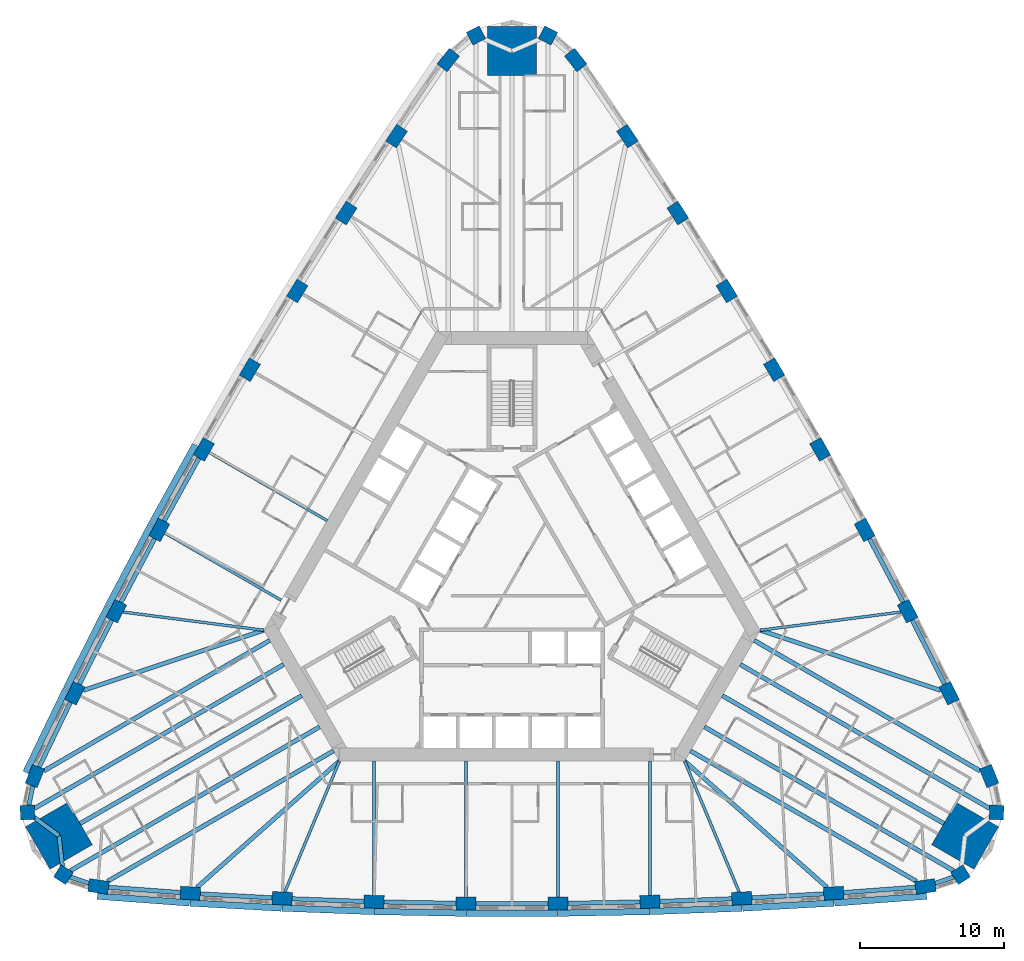
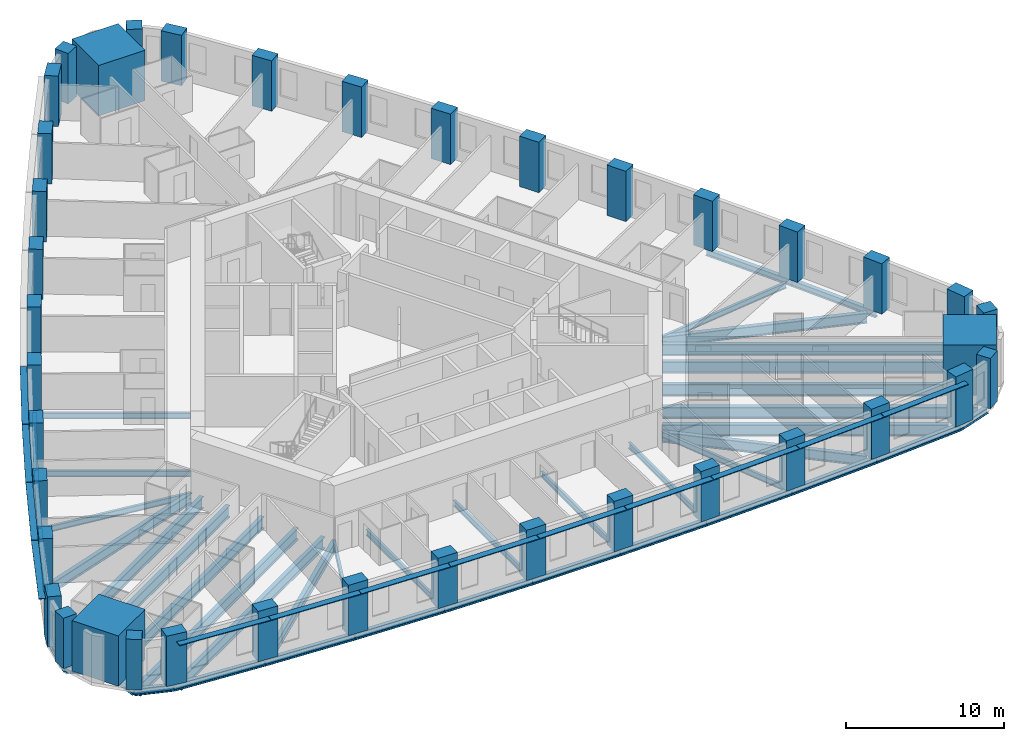
# One storey, part 1 of 13: 44 beams, 39 columns, 13 members.
"""IFC4 building model written with IfcOpenShell, lengths in metres."""

from ifc_helpers import new_model, si_unit, direction, frame, origin, origin_2d, place, context, subcontext, project, spatial, rectangle, i_section, extrude, material, material_profile, profile_set, type_object, element, save


model = new_model("IFC4")

# Units and contexts
model_context = context("Model", 3, precision=1e-05, world=origin(), true_north=direction((0.0, 1.0)))
body_context = subcontext(model_context, "Body", "Model", "MODEL_VIEW")
ifc_project = project(units=[si_unit("LENGTHUNIT", "METRE"), si_unit("AREAUNIT", "SQUARE_METRE"), si_unit("VOLUMEUNIT", "CUBIC_METRE"), si_unit("PLANEANGLEUNIT", "RADIAN"), si_unit("MASSUNIT", "GRAM", prefix="KILO")], contexts=[model_context])

# Site, building, storey
site_placement = place(None, origin())
site = spatial("IfcSite", under=ifc_project, at=site_placement, CompositionType="ELEMENT")
building_placement = place(site_placement, origin())
building = spatial("IfcBuilding", under=site, at=building_placement, Name="Mestral Congress Tower", CompositionType="ELEMENT")
storey_placement = place(building_placement, frame((0.0, 0.0, 27.60009765625)))
storey = spatial("IfcBuildingStorey", under=building, at=storey_placement, Name="L05", CompositionType="ELEMENT", Elevation=27.60009765625)

# Columns
ifc_material_1 = material(Name="Concrete C70/85", Category="concrete")
ifc_material_profile_1 = material_profile(ifc_material_1, rectangle(XDim=1.0, YDim=1.0, at=origin_2d()), Name="RC 1000x1000")
ifc_profile_set_1 = profile_set([ifc_material_profile_1], Name="Concrete C70/85")
column_type_1 = type_object("IfcColumnType", Name="Column RC 1000x1000 C70/85", PredefinedType="COLUMN", material=ifc_profile_set_1)
for number, where, z_axis, x_axis, name in (
    (1, (31.210205078125, -20.90966796875, 0.0), (0.0, 0.0, 1.0), (0.844485001826, 0.535579202071, 0.0), "COL-L05-C1-SE1"),
    (2, (33.71337890625, -16.573974609375, 0.0), (0.0, 0.0, 1.0), (0.041582693819, 0.999135065732, 0.0), "COL-L05-C1-SE3"),
    (3, (2.503173828125, 37.483642578125, 0.0), (0.0, 0.0, 1.0), (-0.886067695645, 0.463555863661, 0.0), "COL-L05-C1-N1"),
    (4, (-2.503173828125, 37.483642578125, 0.0), (0.0, 0.0, 1.0), (-0.886067695645, -0.463555863661, 0.0), "COL-L05-C1-N3"),
    (5, (-33.71337890625, -16.573974609375, 0.0), (0.0, 0.0, 1.0), (0.041582693819, -0.999135065732, 0.0), "COL-L05-C1-SW1"),
    (6, (-31.210205078125, -20.90966796875, 0.0), (0.0, 0.0, 1.0), (0.844485001826, -0.535579202071, 0.0), "COL-L05-C1-SW3"),
):
    element("IfcColumn", number, at=place(storey_placement, frame(where, z_axis=z_axis, x_axis=x_axis)), inside=storey, type_object=column_type_1, Name=name, PredefinedType="COLUMN", context=body_context, shape_type="SweptSolid", body=[
        extrude(rectangle(XDim=1.0, YDim=1.0, at=origin_2d()), origin(), (0.0, 0.0, 1.0), 3.89990234375),
    ])
ifc_material_profile_2 = material_profile(ifc_material_1, rectangle(XDim=1.39990234375, YDim=0.89990234375, at=origin_2d()), Name="RC 1400x900")
ifc_profile_set_2 = profile_set([ifc_material_profile_2], Name="Concrete C70/85")
column_type_2 = type_object("IfcColumnType", Name="Column RC 1400x900 C70/85", PredefinedType="COLUMN", material=ifc_profile_set_2)
for number, where, z_axis, x_axis, name in (
    (7, (-28.766845703125, -21.730712890625, 0.0), (0.0, 0.0, 1.0), (0.989423502484, -0.145055619443, 0.0), "COL-L05-C1-S00"),
    (8, (-22.384521484375, -22.20361328125, 0.0), (0.0, 0.0, 1.0), (0.997907501024, -0.064657709518, 0.0), "COL-L05-C1-S01"),
    (9, (-15.994384765625, -22.558349609375, 0.0), (0.0, 0.0, 1.0), (0.998932216029, -0.04619986774, 0.0), "COL-L05-C1-S02"),
    (10, (-9.598876953125, -22.794921875, 0.0), (0.0, 0.0, 1.0), (0.999615553977, -0.027726237529, 0.0), "COL-L05-C1-S03"),
    (11, (-3.199951171875, -22.9130859375, 0.0), (0.0, 0.0, 1.0), (0.999957281342, -0.009243132098, 0.0), "COL-L05-C1-S04"),
    (12, (3.199951171875, -22.9130859375, 0.0), (0.0, 0.0, 1.0), (0.999957281342, 0.009243132098, 0.0), "COL-L05-C1-S05"),
    (13, (9.598876953125, -22.794921875, 0.0), (0.0, 0.0, 1.0), (0.999615553977, 0.027726237529, 0.0), "COL-L05-C1-S06"),
    (14, (15.994384765625, -22.558349609375, 0.0), (0.0, 0.0, 1.0), (0.998932216029, 0.04619986774, 0.0), "COL-L05-C1-S07"),
    (15, (22.384521484375, -22.20361328125, 0.0), (0.0, 0.0, 1.0), (0.997907501024, 0.064657709518, 0.0), "COL-L05-C1-S08"),
    (16, (28.766845703125, -21.730712890625, 0.0), (0.0, 0.0, 1.0), (0.989423502484, 0.145055619443, 0.0), "COL-L05-C1-S09"),
    (17, (33.202880859375, -14.04736328125, 0.0), (0.0, 0.0, 1.0), (-0.369089899843, 0.929393697974, 0.0), "COL-L05-C1-E00"),
    (18, (30.421142578125, -8.28369140625, 0.0), (0.0, 0.0, 1.0), (-0.442958531519, 0.896542101273, 0.0), "COL-L05-C1-E01"),
    (19, (27.533203125, -2.572265625, 0.0), (0.0, 0.0, 1.0), (-0.4594558489, 0.88820060961, 0.0), "COL-L05-C1-E02"),
    (20, (24.540283203125, 3.084716796875, 0.0), (0.0, 0.0, 1.0), (-0.475796150937, 0.879555582526, 0.0), "COL-L05-C1-E03"),
    (21, (21.443359375, 8.685302734375, 0.0), (0.0, 0.0, 1.0), (-0.491973853463, 0.870609974391, 0.0), "COL-L05-C1-E04"),
    (22, (18.243408203125, 14.227783203125, 0.0), (0.0, 0.0, 1.0), (-0.507983427879, 0.861366842292, 0.0), "COL-L05-C1-E05"),
    (23, (14.941650390625, 19.710205078125, 0.0), (0.0, 0.0, 1.0), (-0.52381940304, 0.851829344998, 0.0), "COL-L05-C1-E06"),
    (24, (11.5390625, 25.130615234375, 0.0), (0.0, 0.0, 1.0), (-0.539476367129, 0.84200074187, 0.0), "COL-L05-C1-E07"),
    (25, (8.03662109375, 30.4873046875, 0.0), (0.0, 0.0, 1.0), (-0.554948969505, 0.831884391755, 0.0), "COL-L05-C1-E08"),
    (26, (4.43603515625, 35.7783203125, 0.0), (0.0, 0.0, 1.0), (-0.620333602641, 0.784338078531, 0.0), "COL-L05-C1-E09"),
    (27, (-4.43603515625, 35.7783203125, 0.0), (0.0, 0.0, 1.0), (-0.620333602641, -0.784338078531, 0.0), "COL-L05-C1-W00"),
    (28, (-8.03662109375, 30.4873046875, 0.0), (0.0, 0.0, 1.0), (-0.554948969505, -0.831884391755, 0.0), "COL-L05-C1-W01"),
    (29, (-11.5390625, 25.130615234375, 0.0), (0.0, 0.0, 1.0), (-0.539476367129, -0.84200074187, 0.0), "COL-L05-C1-W02"),
    (30, (-14.941650390625, 19.710205078125, 0.0), (0.0, 0.0, 1.0), (-0.52381940304, -0.851829344998, 0.0), "COL-L05-C1-W03"),
    (31, (-18.243408203125, 14.227783203125, 0.0), (0.0, 0.0, 1.0), (-0.507983427879, -0.861366842292, 0.0), "COL-L05-C1-W04"),
    (32, (-21.443359375, 8.685302734375, 0.0), (0.0, 0.0, 1.0), (-0.491973853463, -0.870609974391, 0.0), "COL-L05-C1-W05"),
    (33, (-24.540283203125, 3.084716796875, 0.0), (0.0, 0.0, 1.0), (-0.475796150937, -0.879555582526, 0.0), "COL-L05-C1-W06"),
    (34, (-27.533203125, -2.572265625, 0.0), (0.0, 0.0, 1.0), (-0.4594558489, -0.88820060961, 0.0), "COL-L05-C1-W07"),
    (35, (-30.421142578125, -8.28369140625, 0.0), (0.0, 0.0, 1.0), (-0.442958531519, -0.896542101273, 0.0), "COL-L05-C1-W08"),
    (36, (-33.202880859375, -14.04736328125, 0.0), (0.0, 0.0, 1.0), (-0.369089899843, -0.929393697974, 0.0), "COL-L05-C1-W09"),
):
    element("IfcColumn", number, at=place(storey_placement, frame(where, z_axis=z_axis, x_axis=x_axis)), inside=storey, type_object=column_type_2, Name=name, PredefinedType="COLUMN", context=body_context, shape_type="SweptSolid", body=[
        extrude(rectangle(XDim=1.39990234375, YDim=0.89990234375, at=origin_2d()), origin(), (0.0, 0.0, 1.0), 3.89990234375),
    ])
ifc_material_2 = material(Name="Concrete C80/95", Category="concrete")
ifc_material_profile_3 = material_profile(ifc_material_2, rectangle(XDim=3.39990234375, YDim=3.39990234375, at=origin_2d()), Name="RC 3400x3400")
ifc_profile_set_3 = profile_set([ifc_material_profile_3], Name="Concrete C80/95")
column_type_3 = type_object("IfcColumnType", Name="Mega column RC 3400x3400 C80/95", PredefinedType="COLUMN", material=ifc_profile_set_3)
for number, where, z_axis, x_axis, name in (
    (37, (31.5224609375, -18.199462890625, 0.0), (0.0, 0.0, 1.0), (0.866025403784, -0.5, 0.0), "COL-L05-PY1-SE"),
    (38, (0.0, 36.39892578125, 0.0), (0.0, 0.0, 1.0), (0.0, 1.0, 0.0), "COL-L05-PY1-N"),
    (39, (-31.5224609375, -18.199462890625, 0.0), (0.0, 0.0, 1.0), (-0.866025403784, -0.5, 0.0), "COL-L05-PY1-SW"),
):
    element("IfcColumn", number, at=place(storey_placement, frame(where, z_axis=z_axis, x_axis=x_axis)), inside=storey, type_object=column_type_3, Name=name, PredefinedType="COLUMN", context=body_context, shape_type="SweptSolid", body=[
        extrude(rectangle(XDim=3.39990234375, YDim=3.39990234375, at=origin_2d()), origin(), (0.0, 0.0, 1.0), 3.89990234375),
    ])

# Members
ifc_material_3 = material(Name="Glazed ceramic", Category="masonry")
ifc_material_profile_4 = material_profile(ifc_material_3, rectangle(XDim=0.449951171875, YDim=0.06005859375, at=origin_2d()), Name="Ceramic blade 450 x 60")
ifc_profile_set_4 = profile_set([ifc_material_profile_4], Name="Glazed ceramic")
member_type = type_object("IfcMemberType", Name="Facade sunshade blade 450 x 60", PredefinedType="USERDEFINED", material=ifc_profile_set_4)
member_1_placement = place(storey_placement, frame((-28.853271484375, -22.4013671875, 3.27978515625), z_axis=(0.997269829073, -0.073843672858, 0.0), x_axis=(0.073843672858, 0.997269829073, 0.0)))
element("IfcMember", 40, at=member_1_placement, inside=storey, type_object=member_type, Name="Sunshade F0-00", ObjectType="SUNSHADE", PredefinedType="USERDEFINED", context=body_context, shape_type="SweptSolid", body=[
    extrude(rectangle(XDim=0.449951171875, YDim=0.06005859375, at=origin_2d()), origin(), (0.0, 0.0, 1.0), 6.420654296875),
])
member_2_placement = place(storey_placement, frame((-22.406005859375, -22.87841796875, 3.27978515625), z_axis=(0.998462240013, -0.055436046654, 0.0), x_axis=(0.055436046654, 0.998462240013, 0.0)))
element("IfcMember", 41, at=member_2_placement, inside=storey, type_object=member_type, Name="Sunshade F0-01", ObjectType="SUNSHADE", PredefinedType="USERDEFINED", context=body_context, shape_type="SweptSolid", body=[
    extrude(rectangle(XDim=0.449951171875, YDim=0.06005859375, at=origin_2d()), origin(), (0.0, 0.0, 1.0), 6.3681640625),
])
member_3_placement = place(storey_placement, frame((-16.00341796875, -23.2333984375, 3.27978515625), z_axis=(0.99931546381, -0.036994645436, 0.0), x_axis=(0.036994645436, 0.99931546381, 0.0)))
element("IfcMember", 42, at=member_3_placement, inside=storey, type_object=member_type, Name="Sunshade F0-02", ObjectType="SUNSHADE", PredefinedType="USERDEFINED", context=body_context, shape_type="SweptSolid", body=[
    extrude(rectangle(XDim=0.449951171875, YDim=0.06005859375, at=origin_2d()), origin(), (0.0, 0.0, 1.0), 6.368408203125),
])
for number, where, z_axis, x_axis, name in (
    (43, (-9.595458984375, -23.47021484375, 3.27978515625), (0.99982925906, -0.018478439527, 0.0), (0.018478439527, 0.99982925906, 0.0), "Sunshade F0-03"),
    (44, (-3.18408203125, -23.588134765625, 3.27978515625), (1.0, 0.0, 0.0), (0.0, 1.0, 0.0), "Sunshade F0-04"),
    (45, (3.228271484375, -23.587890625, 3.27978515625), (0.99982925906, 0.018478439527, 0.0), (-0.018478439527, 0.99982925906, 0.0), "Sunshade F0-05"),
):
    element("IfcMember", number, at=place(storey_placement, frame(where, z_axis=z_axis, x_axis=x_axis)), inside=storey, type_object=member_type, Name=name, ObjectType="SUNSHADE", PredefinedType="USERDEFINED", context=body_context, shape_type="SweptSolid", body=[
        extrude(rectangle(XDim=0.449951171875, YDim=0.06005859375, at=origin_2d()), origin(), (0.0, 0.0, 1.0), 6.3681640625),
    ])
member_4_placement = place(storey_placement, frame((9.639404296875, -23.468994140625, 3.27978515625), z_axis=(0.99931546381, 0.036994645436, 0.0), x_axis=(-0.036994645436, 0.99931546381, 0.0)))
element("IfcMember", 46, at=member_4_placement, inside=storey, type_object=member_type, Name="Sunshade F0-06", ObjectType="SUNSHADE", PredefinedType="USERDEFINED", context=body_context, shape_type="SweptSolid", body=[
    extrude(rectangle(XDim=0.449951171875, YDim=0.06005859375, at=origin_2d()), origin(), (0.0, 0.0, 1.0), 6.368408203125),
])
member_5_placement = place(storey_placement, frame((16.047607421875, -23.2314453125, 3.27978515625), z_axis=(0.998462240013, 0.055436046654, 0.0), x_axis=(-0.055436046654, 0.998462240013, 0.0)))
element("IfcMember", 47, at=member_5_placement, inside=storey, type_object=member_type, Name="Sunshade F0-07", ObjectType="SUNSHADE", PredefinedType="USERDEFINED", context=body_context, shape_type="SweptSolid", body=[
    extrude(rectangle(XDim=0.449951171875, YDim=0.06005859375, at=origin_2d()), origin(), (0.0, 0.0, 1.0), 6.3681640625),
])
member_6_placement = place(storey_placement, frame((22.4501953125, -22.87548828125, 3.27978515625), z_axis=(0.997269829073, 0.073843672858, 0.0), x_axis=(-0.073843672858, 0.997269829073, 0.0)))
element("IfcMember", 48, at=member_6_placement, inside=storey, type_object=member_type, Name="Sunshade F0-08", ObjectType="SUNSHADE", PredefinedType="USERDEFINED", context=body_context, shape_type="SweptSolid", body=[
    extrude(rectangle(XDim=0.449951171875, YDim=0.06005859375, at=origin_2d()), origin(), (0.0, 0.0, 1.0), 6.420654296875),
])
for number, where, z_axis, x_axis, name in (
    (49, (-22.041748046875, 8.998291015625, 3.27978515625), (-0.483893994258, -0.875126620736, 0.0), (0.875126620736, -0.483893994258, 0.0), "Sunshade F2-05"),
    (50, (-25.144287109375, 3.38623046875, 3.27978515625), (-0.467674573128, -0.883900726128, 0.0), (0.883900726128, -0.467674573128, 0.0), "Sunshade F2-06"),
    (51, (-28.142822265625, -2.28173828125, 3.27978515625), (-0.451226804026, -0.892409307061, 0.0), (0.892409307061, -0.451226804026, 0.0), "Sunshade F2-07"),
):
    element("IfcMember", number, at=place(storey_placement, frame(where, z_axis=z_axis, x_axis=x_axis)), inside=storey, type_object=member_type, Name=name, ObjectType="SUNSHADE", PredefinedType="USERDEFINED", context=body_context, shape_type="SweptSolid", body=[
        extrude(rectangle(XDim=0.449951171875, YDim=0.06005859375, at=origin_2d()), origin(), (0.0, 0.0, 1.0), 6.3681640625),
    ])
member_7_placement = place(storey_placement, frame((-31.035888671875, -8.00439453125, 3.27978515625), z_axis=(-0.434637414368, -0.900605528537, 0.0), x_axis=(0.900605528537, -0.434637414368, 0.0)))
element("IfcMember", 52, at=member_7_placement, inside=storey, type_object=member_type, Name="Sunshade F2-08", ObjectType="SUNSHADE", PredefinedType="USERDEFINED", context=body_context, shape_type="SweptSolid", body=[
    extrude(rectangle(XDim=0.449951171875, YDim=0.06005859375, at=origin_2d()), origin(), (0.0, 0.0, 1.0), 6.4208984375),
])

# Beams
ifc_material_4 = material(Name="Steel S355", Category="steel")
ifc_material_profile_5 = material_profile(ifc_material_4, i_section(OverallWidth=0.300048828125, OverallDepth=0.800048828125, WebThickness=0.017578125, FlangeThickness=0.032958984375, FilletRadius=0.030029296875, at=origin_2d()), Name="HEB 800")
ifc_profile_set_5 = profile_set([ifc_material_profile_5], Name="Steel S355")
beam_type_1 = type_object("IfcBeamType", Name="Floor beam HEB 800 S355", PredefinedType="BEAM", material=ifc_profile_set_5)
for number, where, z_axis, x_axis, name in (
    (53, (-21.91064453125, -21.783447265625, -0.650146484375), (0.748091770025, 0.663595286015, 0.0), (-0.663595286015, 0.748091770025, 0.0), "BM-L05-RB1-S01"),
    (54, (21.91064453125, -21.783447265625, -0.650146484375), (-0.748091770025, 0.663595286015, 0.0), (-0.663595286015, -0.748091770025, 0.0), "BM-L05-RB1-S08"),
    (55, (29.8203125, -8.08349609375, -0.650146484375), (-0.948734931285, 0.316072824141, 0.0), (-0.316072824141, -0.948734931285, 0.0), "BM-L05-RB1-E01"),
    (56, (-29.8203125, -8.08349609375, -0.650146484375), (0.948734931285, 0.316072824141, 0.0), (-0.316072824141, 0.948734931285, 0.0), "BM-L05-RB1-W08"),
):
    element("IfcBeam", number, at=place(storey_placement, frame(where, z_axis=z_axis, x_axis=x_axis)), inside=storey, type_object=beam_type_1, Name=name, PredefinedType="BEAM", context=body_context, shape_type="SweptSolid", body=[
        extrude(i_section(OverallWidth=0.300048828125, OverallDepth=0.800048828125, WebThickness=0.017578125, FlangeThickness=0.032958984375, FilletRadius=0.030029296875, at=origin_2d()), origin(), (0.0, 0.0, 1.0), 13.236083984375),
    ])
ifc_material_profile_6 = material_profile(ifc_material_4, i_section(OverallWidth=0.300048828125, OverallDepth=0.89990234375, WebThickness=0.0185546875, FlangeThickness=0.034912109375, FilletRadius=0.030029296875, at=origin_2d()), Name="HEB 900")
ifc_profile_set_6 = profile_set([ifc_material_profile_6], Name="Steel S355")
beam_type_2 = type_object("IfcBeamType", Name="Floor beam HEB 900 S355", PredefinedType="BEAM", material=ifc_profile_set_6)
for number, where, z_axis, x_axis, name in (
    (57, (-28.138671875, -21.3681640625, -0.7001953125), (0.866027243369, 0.499996813733, 0.0), (-0.499996813733, 0.866027243369, 0.0), "BM-L05-RB1-S00"),
    (58, (28.138671875, -21.3681640625, -0.7001953125), (-0.866027243369, 0.499996813733, 0.0), (-0.499996813733, -0.866027243369, 0.0), "BM-L05-RB1-S09"),
):
    element("IfcBeam", number, at=place(storey_placement, frame(where, z_axis=z_axis, x_axis=x_axis)), inside=storey, type_object=beam_type_2, Name=name, PredefinedType="BEAM", context=body_context, shape_type="SweptSolid", body=[
        extrude(i_section(OverallWidth=0.300048828125, OverallDepth=0.89990234375, WebThickness=0.0185546875, FlangeThickness=0.034912109375, FilletRadius=0.030029296875, at=origin_2d()), origin(), (0.0, 0.0, 1.0), 18.15283203125),
    ])
beam_1_placement = place(storey_placement, frame((30.721435546875, -20.62744140625, -0.7001953125), z_axis=(-0.866027382289, 0.499996573113, 0.0), x_axis=(-0.499996573113, -0.866027382289, 0.0)))
element("IfcBeam", 59, at=beam_1_placement, inside=storey, type_object=beam_type_2, Name="BM-L05-RB1-SE1", PredefinedType="BEAM", context=body_context, shape_type="SweptSolid", body=[
    extrude(i_section(OverallWidth=0.300048828125, OverallDepth=0.89990234375, WebThickness=0.0185546875, FlangeThickness=0.034912109375, FilletRadius=0.030029296875, at=origin_2d()), origin(), (0.0, 0.0, 1.0), 20.019287109375),
])
beam_2_placement = place(storey_placement, frame((30.050048828125, -17.349609375, -0.7001953125), z_axis=(-0.866020438056, 0.500008600796, 0.0), x_axis=(-0.500008600796, -0.866020438056, 0.0)))
element("IfcBeam", 60, at=beam_2_placement, inside=storey, type_object=beam_type_2, Name="BM-L05-RB1-SE", PredefinedType="BEAM", context=body_context, shape_type="SweptSolid", body=[
    extrude(i_section(OverallWidth=0.300048828125, OverallDepth=0.89990234375, WebThickness=0.0185546875, FlangeThickness=0.034912109375, FilletRadius=0.030029296875, at=origin_2d()), origin(), (0.0, 0.0, 1.0), 17.799072265625),
])
beam_3_placement = place(storey_placement, frame((33.224609375, -16.291748046875, -0.7001953125), z_axis=(-0.866027382289, 0.499996573113, 0.0), x_axis=(-0.499996573113, -0.866027382289, 0.0)))
element("IfcBeam", 61, at=beam_3_placement, inside=storey, type_object=beam_type_2, Name="BM-L05-RB1-SE3", PredefinedType="BEAM", context=body_context, shape_type="SweptSolid", body=[
    extrude(i_section(OverallWidth=0.300048828125, OverallDepth=0.89990234375, WebThickness=0.0185546875, FlangeThickness=0.034912109375, FilletRadius=0.030029296875, at=origin_2d()), origin(), (0.0, 0.0, 1.0), 20.019287109375),
])
for number, where, z_axis, x_axis, name in (
    (62, (32.574462890625, -13.6845703125, -0.7001953125), (-0.866029704776, 0.49999255039, 0.0), (-0.49999255039, -0.866029704776, 0.0), "BM-L05-RB1-E00"),
    (63, (-32.574462890625, -13.6845703125, -0.7001953125), (0.866029704776, 0.49999255039, 0.0), (-0.49999255039, 0.866029704776, 0.0), "BM-L05-RB1-W09"),
):
    element("IfcBeam", number, at=place(storey_placement, frame(where, z_axis=z_axis, x_axis=x_axis)), inside=storey, type_object=beam_type_2, Name=name, PredefinedType="BEAM", context=body_context, shape_type="SweptSolid", body=[
        extrude(i_section(OverallWidth=0.300048828125, OverallDepth=0.89990234375, WebThickness=0.0185546875, FlangeThickness=0.034912109375, FilletRadius=0.030029296875, at=origin_2d()), origin(), (0.0, 0.0, 1.0), 18.152587890625),
    ])
beam_4_placement = place(storey_placement, frame((-33.224609375, -16.291748046875, -0.7001953125), z_axis=(0.866027382289, 0.499996573113, 0.0), x_axis=(-0.499996573113, 0.866027382289, 0.0)))
element("IfcBeam", 64, at=beam_4_placement, inside=storey, type_object=beam_type_2, Name="BM-L05-RB1-SW1", PredefinedType="BEAM", context=body_context, shape_type="SweptSolid", body=[
    extrude(i_section(OverallWidth=0.300048828125, OverallDepth=0.89990234375, WebThickness=0.0185546875, FlangeThickness=0.034912109375, FilletRadius=0.030029296875, at=origin_2d()), origin(), (0.0, 0.0, 1.0), 20.019287109375),
])
beam_5_placement = place(storey_placement, frame((-30.050048828125, -17.349609375, -0.7001953125), z_axis=(0.866020438056, 0.500008600796, 0.0), x_axis=(-0.500008600796, 0.866020438056, 0.0)))
element("IfcBeam", 65, at=beam_5_placement, inside=storey, type_object=beam_type_2, Name="BM-L05-RB1-SW", PredefinedType="BEAM", context=body_context, shape_type="SweptSolid", body=[
    extrude(i_section(OverallWidth=0.300048828125, OverallDepth=0.89990234375, WebThickness=0.0185546875, FlangeThickness=0.034912109375, FilletRadius=0.030029296875, at=origin_2d()), origin(), (0.0, 0.0, 1.0), 17.799072265625),
])
beam_6_placement = place(storey_placement, frame((-30.721435546875, -20.62744140625, -0.7001953125), z_axis=(0.866027382289, 0.499996573113, 0.0), x_axis=(-0.499996573113, 0.866027382289, 0.0)))
element("IfcBeam", 66, at=beam_6_placement, inside=storey, type_object=beam_type_2, Name="BM-L05-RB1-SW3", PredefinedType="BEAM", context=body_context, shape_type="SweptSolid", body=[
    extrude(i_section(OverallWidth=0.300048828125, OverallDepth=0.89990234375, WebThickness=0.0185546875, FlangeThickness=0.034912109375, FilletRadius=0.030029296875, at=origin_2d()), origin(), (0.0, 0.0, 1.0), 20.019287109375),
])
ifc_material_profile_7 = material_profile(ifc_material_4, i_section(OverallWidth=0.18994140625, OverallDepth=0.449951171875, WebThickness=0.009521484375, FlangeThickness=0.0146484375, FilletRadius=0.02099609375, at=origin_2d()), Name="IPE 450")
ifc_profile_set_7 = profile_set([ifc_material_profile_7], Name="Steel S355")
beam_type_3 = type_object("IfcBeamType", Name="Floor beam IPE 450 S355", PredefinedType="BEAM", material=ifc_profile_set_7)
beam_7_placement = place(storey_placement, frame((-15.81005859375, -22.116455078125, -0.47509765625), z_axis=(0.384852309441, 0.922978168711, 0.0), x_axis=(-0.922978168711, 0.384852309441, 0.0)))
element("IfcBeam", 67, at=beam_7_placement, inside=storey, type_object=beam_type_3, Name="BM-L05-RB1-S02", PredefinedType="BEAM", context=body_context, shape_type="SweptSolid", body=[
    extrude(i_section(OverallWidth=0.18994140625, OverallDepth=0.449951171875, WebThickness=0.009521484375, FlangeThickness=0.0146484375, FilletRadius=0.02099609375, at=origin_2d()), origin(), (0.0, 0.0, 1.0), 9.877197265625),
])
beam_8_placement = place(storey_placement, frame((-9.598876953125, -22.3447265625, -0.47509765625), z_axis=(0.0, 1.0, 0.0), x_axis=(-1.0, 0.0, 0.0)))
element("IfcBeam", 68, at=beam_8_placement, inside=storey, type_object=beam_type_3, Name="BM-L05-RB1-S03", PredefinedType="BEAM", context=body_context, shape_type="SweptSolid", body=[
    extrude(i_section(OverallWidth=0.18994140625, OverallDepth=0.449951171875, WebThickness=0.009521484375, FlangeThickness=0.0146484375, FilletRadius=0.02099609375, at=origin_2d()), origin(), (0.0, 0.0, 1.0), 9.3447265625),
])
for number, where, z_axis, x_axis, name in (
    (69, (-3.199951171875, -22.463134765625, -0.47509765625), (0.0, 1.0, 0.0), (-1.0, 0.0, 0.0), "BM-L05-RB1-S04"),
    (70, (3.199951171875, -22.463134765625, -0.47509765625), (0.0, 1.0, 0.0), (-1.0, 0.0, 0.0), "BM-L05-RB1-S05"),
):
    element("IfcBeam", number, at=place(storey_placement, frame(where, z_axis=z_axis, x_axis=x_axis)), inside=storey, type_object=beam_type_3, Name=name, PredefinedType="BEAM", context=body_context, shape_type="SweptSolid", body=[
        extrude(i_section(OverallWidth=0.18994140625, OverallDepth=0.449951171875, WebThickness=0.009521484375, FlangeThickness=0.0146484375, FilletRadius=0.02099609375, at=origin_2d()), origin(), (0.0, 0.0, 1.0), 9.463134765625),
    ])
beam_9_placement = place(storey_placement, frame((9.598876953125, -22.3447265625, -0.47509765625), z_axis=(0.0, 1.0, 0.0), x_axis=(-1.0, 0.0, 0.0)))
element("IfcBeam", 71, at=beam_9_placement, inside=storey, type_object=beam_type_3, Name="BM-L05-RB1-S06", PredefinedType="BEAM", context=body_context, shape_type="SweptSolid", body=[
    extrude(i_section(OverallWidth=0.18994140625, OverallDepth=0.449951171875, WebThickness=0.009521484375, FlangeThickness=0.0146484375, FilletRadius=0.02099609375, at=origin_2d()), origin(), (0.0, 0.0, 1.0), 9.3447265625),
])
for number, where, z_axis, x_axis, name in (
    (72, (15.81005859375, -22.116455078125, -0.47509765625), (-0.384852309441, 0.922978168711, 0.0), (-0.922978168711, -0.384852309441, 0.0), "BM-L05-RB1-S07"),
    (73, (27.058349609375, -2.6337890625, -0.47509765625), (-0.99175011495, -0.128186229747, 0.0), (0.128186229747, -0.99175011495, 0.0), "BM-L05-RB1-E02"),
):
    element("IfcBeam", number, at=place(storey_placement, frame(where, z_axis=z_axis, x_axis=x_axis)), inside=storey, type_object=beam_type_3, Name=name, PredefinedType="BEAM", context=body_context, shape_type="SweptSolid", body=[
        extrude(i_section(OverallWidth=0.18994140625, OverallDepth=0.449951171875, WebThickness=0.009521484375, FlangeThickness=0.0146484375, FilletRadius=0.02099609375, at=origin_2d()), origin(), (0.0, 0.0, 1.0), 9.877197265625),
    ])
beam_10_placement = place(storey_placement, frame((-21.0537109375, 8.46044921875, -0.47509765625), z_axis=(0.866019749231, -0.500009793847, 0.0), x_axis=(0.500009793847, 0.866019749231, 0.0)))
element("IfcBeam", 74, at=beam_10_placement, inside=storey, type_object=beam_type_3, Name="BM-L05-RB1-W05", PredefinedType="BEAM", context=body_context, shape_type="SweptSolid", body=[
    extrude(i_section(OverallWidth=0.18994140625, OverallDepth=0.449951171875, WebThickness=0.009521484375, FlangeThickness=0.0146484375, FilletRadius=0.02099609375, at=origin_2d()), origin(), (0.0, 0.0, 1.0), 9.463134765625),
])
beam_11_placement = place(storey_placement, frame((-24.150634765625, 2.859619140625, -0.47509765625), z_axis=(0.866032011123, -0.499988555579, 0.0), x_axis=(0.499988555579, 0.866032011123, 0.0)))
element("IfcBeam", 75, at=beam_11_placement, inside=storey, type_object=beam_type_3, Name="BM-L05-RB1-W06", PredefinedType="BEAM", context=body_context, shape_type="SweptSolid", body=[
    extrude(i_section(OverallWidth=0.18994140625, OverallDepth=0.449951171875, WebThickness=0.009521484375, FlangeThickness=0.0146484375, FilletRadius=0.02099609375, at=origin_2d()), origin(), (0.0, 0.0, 1.0), 9.344970703125),
])
beam_12_placement = place(storey_placement, frame((-27.058349609375, -2.6337890625, -0.47509765625), z_axis=(0.99175011495, -0.128186229747, 0.0), x_axis=(0.128186229747, 0.99175011495, 0.0)))
element("IfcBeam", 76, at=beam_12_placement, inside=storey, type_object=beam_type_3, Name="BM-L05-RB1-W07", PredefinedType="BEAM", context=body_context, shape_type="SweptSolid", body=[
    extrude(i_section(OverallWidth=0.18994140625, OverallDepth=0.449951171875, WebThickness=0.009521484375, FlangeThickness=0.0146484375, FilletRadius=0.02099609375, at=origin_2d()), origin(), (0.0, 0.0, 1.0), 9.877197265625),
])
ifc_material_profile_8 = material_profile(ifc_material_4, i_section(OverallWidth=0.300048828125, OverallDepth=0.489990234375, WebThickness=0.011962890625, FlangeThickness=0.02294921875, FilletRadius=0.027099609375, at=origin_2d()), Name="HEA 500")
ifc_profile_set_8 = profile_set([ifc_material_profile_8], Name="Steel S355")
beam_type_4 = type_object("IfcBeamType", Name="Spandrel beam HEA 500 S355", PredefinedType="BEAM", material=ifc_profile_set_8)
for number, where, z_axis, x_axis, name in (
    (77, (-28.766845703125, -21.730712890625, -0.4951171875), (0.997266192922, -0.073892763204, 0.0), (0.073892763204, 0.997266192922, 0.0), "SP-L05-SB1-S00"),
    (78, (-22.384521484375, -22.20361328125, -0.4951171875), (0.998462699826, -0.055427764302, 0.0), (0.055427764302, 0.998462699826, 0.0), "SP-L05-SB1-S01"),
    (79, (-15.994384765625, -22.558349609375, -0.4951171875), (0.999316557166, -0.0369650994, 0.0), (0.0369650994, 0.999316557166, 0.0), "SP-L05-SB1-S02"),
    (80, (-9.598876953125, -22.794921875, -0.4951171875), (0.99982954269, -0.018463086557, 0.0), (0.018463086557, 0.99982954269, 0.0), "SP-L05-SB1-S03"),
    (81, (-3.199951171875, -22.9130859375, -0.4951171875), (1.0, 0.0, 0.0), (0.0, 1.0, 0.0), "SP-L05-SB1-S04"),
    (82, (3.199951171875, -22.9130859375, -0.4951171875), (0.99982954269, 0.018463086557, 0.0), (-0.018463086557, 0.99982954269, 0.0), "SP-L05-SB1-S05"),
    (83, (9.598876953125, -22.794921875, -0.4951171875), (0.999316557166, 0.0369650994, 0.0), (-0.0369650994, 0.999316557166, 0.0), "SP-L05-SB1-S06"),
    (84, (15.994384765625, -22.558349609375, -0.4951171875), (0.998462699826, 0.055427764302, 0.0), (-0.055427764302, 0.998462699826, 0.0), "SP-L05-SB1-S07"),
    (85, (22.384521484375, -22.20361328125, -0.4951171875), (0.997266192922, 0.073892763204, 0.0), (-0.073892763204, 0.997266192922, 0.0), "SP-L05-SB1-S08"),
):
    element("IfcBeam", number, at=place(storey_placement, frame(where, z_axis=z_axis, x_axis=x_axis)), inside=storey, type_object=beam_type_4, Name=name, PredefinedType="BEAM", context=body_context, shape_type="SweptSolid", body=[
        extrude(i_section(OverallWidth=0.300048828125, OverallDepth=0.489990234375, WebThickness=0.011962890625, FlangeThickness=0.02294921875, FilletRadius=0.027099609375, at=origin_2d()), origin(), (0.0, 0.0, 1.0), 6.39990234375),
    ])
beam_13_placement = place(storey_placement, frame((28.766845703125, -21.730712890625, -0.4951171875), z_axis=(0.947913310096, 0.318528423446, 0.0), x_axis=(-0.318528423446, 0.947913310096, 0.0)))
element("IfcBeam", 86, at=beam_13_placement, inside=storey, type_object=beam_type_4, Name="SP-L05-SB1-S09", PredefinedType="BEAM", context=body_context, shape_type="SweptSolid", body=[
    extrude(i_section(OverallWidth=0.300048828125, OverallDepth=0.489990234375, WebThickness=0.011962890625, FlangeThickness=0.02294921875, FilletRadius=0.027099609375, at=origin_2d()), origin(), (0.0, 0.0, 1.0), 2.57763671875),
])
beam_14_placement = place(storey_placement, frame((30.421142578125, -8.28369140625, -0.4951171875), z_axis=(-0.451237351709, 0.892403973783, 0.0), x_axis=(-0.892403973783, -0.451237351709, 0.0)))
element("IfcBeam", 87, at=beam_14_placement, inside=storey, type_object=beam_type_4, Name="SP-L05-SB1-E01", PredefinedType="BEAM", context=body_context, shape_type="SweptSolid", body=[
    extrude(i_section(OverallWidth=0.300048828125, OverallDepth=0.489990234375, WebThickness=0.011962890625, FlangeThickness=0.02294921875, FilletRadius=0.027099609375, at=origin_2d()), origin(), (0.0, 0.0, 1.0), 6.400146484375),
])
for number, where, z_axis, x_axis, name in (
    (88, (27.533203125, -2.572265625, -0.4951171875), (-0.467649333519, 0.883914080021, 0.0), (-0.883914080021, -0.467649333519, 0.0), "SP-L05-SB1-E02"),
    (89, (-21.443359375, 8.685302734375, -0.4951171875), (-0.483909115865, -0.875118259199, 0.0), (0.875118259199, -0.483909115865, 0.0), "SP-L05-SB1-W05"),
    (90, (-24.540283203125, 3.084716796875, -0.4951171875), (-0.467649333519, -0.883914080021, 0.0), (0.883914080021, -0.467649333519, 0.0), "SP-L05-SB1-W06"),
):
    element("IfcBeam", number, at=place(storey_placement, frame(where, z_axis=z_axis, x_axis=x_axis)), inside=storey, type_object=beam_type_4, Name=name, PredefinedType="BEAM", context=body_context, shape_type="SweptSolid", body=[
        extrude(i_section(OverallWidth=0.300048828125, OverallDepth=0.489990234375, WebThickness=0.011962890625, FlangeThickness=0.02294921875, FilletRadius=0.027099609375, at=origin_2d()), origin(), (0.0, 0.0, 1.0), 6.39990234375),
    ])
beam_15_placement = place(storey_placement, frame((-27.533203125, -2.572265625, -0.4951171875), z_axis=(-0.451237351709, -0.892403973783, 0.0), x_axis=(0.892403973783, -0.451237351709, 0.0)))
element("IfcBeam", 91, at=beam_15_placement, inside=storey, type_object=beam_type_4, Name="SP-L05-SB1-W07", PredefinedType="BEAM", context=body_context, shape_type="SweptSolid", body=[
    extrude(i_section(OverallWidth=0.300048828125, OverallDepth=0.489990234375, WebThickness=0.011962890625, FlangeThickness=0.02294921875, FilletRadius=0.027099609375, at=origin_2d()), origin(), (0.0, 0.0, 1.0), 6.400146484375),
])
beam_16_placement = place(storey_placement, frame((-30.421142578125, -8.28369140625, -0.4951171875), z_axis=(-0.434657317293, -0.900595923, 0.0), x_axis=(0.900595923, -0.434657317293, 0.0)))
element("IfcBeam", 92, at=beam_16_placement, inside=storey, type_object=beam_type_4, Name="SP-L05-SB1-W08", PredefinedType="BEAM", context=body_context, shape_type="SweptSolid", body=[
    extrude(i_section(OverallWidth=0.300048828125, OverallDepth=0.489990234375, WebThickness=0.011962890625, FlangeThickness=0.02294921875, FilletRadius=0.027099609375, at=origin_2d()), origin(), (0.0, 0.0, 1.0), 6.39990234375),
])
beam_17_placement = place(storey_placement, frame((-33.202880859375, -14.04736328125, -0.4951171875), z_axis=(-0.198046458429, -0.980192634283, 0.0), x_axis=(0.980192634283, -0.198046458429, 0.0)))
element("IfcBeam", 93, at=beam_17_placement, inside=storey, type_object=beam_type_4, Name="SP-L05-SB1-W09", PredefinedType="BEAM", context=body_context, shape_type="SweptSolid", body=[
    extrude(i_section(OverallWidth=0.300048828125, OverallDepth=0.489990234375, WebThickness=0.011962890625, FlangeThickness=0.02294921875, FilletRadius=0.027099609375, at=origin_2d()), origin(), (0.0, 0.0, 1.0), 2.57763671875),
])
for number, where, z_axis, x_axis, name in (
    (94, (-33.71337890625, -16.573974609375, -0.4951171875), (0.803103553896, -0.59583947647, 0.0), (0.59583947647, 0.803103553896, 0.0), "SP-L05-SB1-SW1"),
    (95, (-31.5224609375, -18.199462890625, -0.4951171875), (0.114457668102, -0.993428126345, 0.0), (0.993428126345, 0.114457668102, 0.0), "SP-L05-SB1-SW"),
):
    element("IfcBeam", number, at=place(storey_placement, frame(where, z_axis=z_axis, x_axis=x_axis)), inside=storey, type_object=beam_type_4, Name=name, PredefinedType="BEAM", context=body_context, shape_type="SweptSolid", body=[
        extrude(i_section(OverallWidth=0.300048828125, OverallDepth=0.489990234375, WebThickness=0.011962890625, FlangeThickness=0.02294921875, FilletRadius=0.027099609375, at=origin_2d()), origin(), (0.0, 0.0, 1.0), 2.72802734375),
    ])
beam_18_placement = place(storey_placement, frame((-31.210205078125, -20.90966796875, -0.4951171875), z_axis=(0.947913310096, -0.318528423446, 0.0), x_axis=(0.318528423446, 0.947913310096, 0.0)))
element("IfcBeam", 96, at=beam_18_placement, inside=storey, type_object=beam_type_4, Name="SP-L05-SB1-SW3", PredefinedType="BEAM", context=body_context, shape_type="SweptSolid", body=[
    extrude(i_section(OverallWidth=0.300048828125, OverallDepth=0.489990234375, WebThickness=0.011962890625, FlangeThickness=0.02294921875, FilletRadius=0.027099609375, at=origin_2d()), origin(), (0.0, 0.0, 1.0), 2.57763671875),
])

save(model, "model.ifc")
